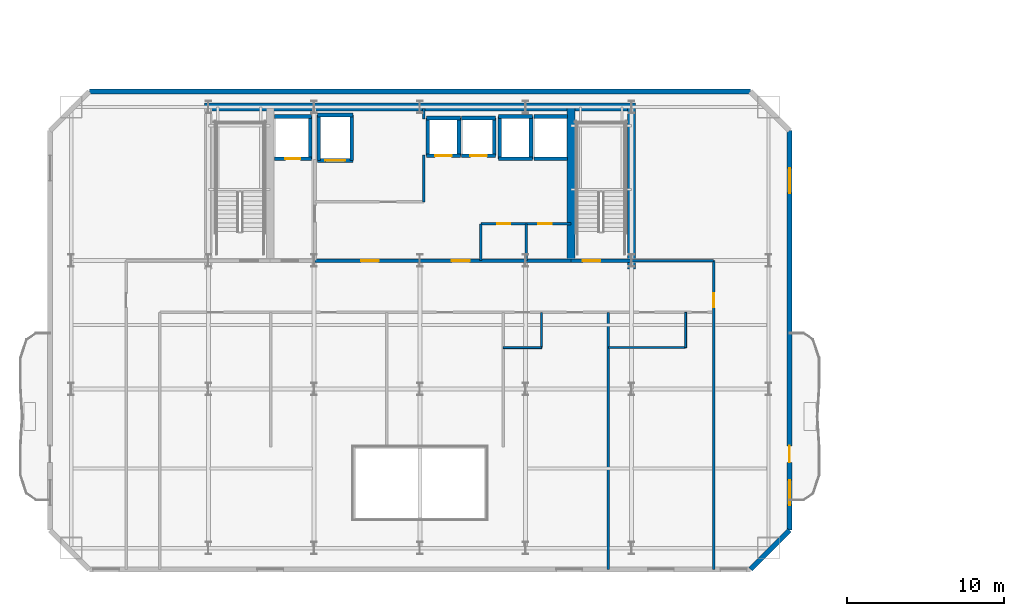
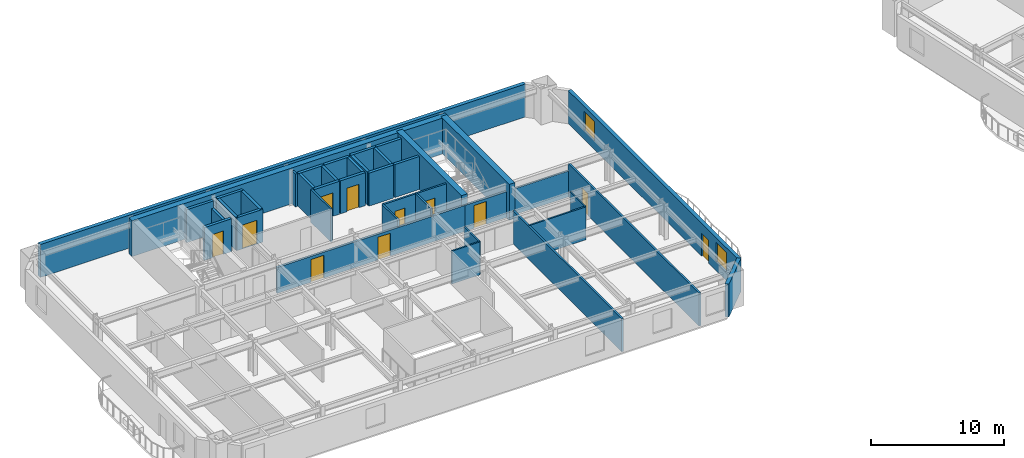
# One storey, part 6 of 13: 40 walls, 11 doors, 2 windows, 13 openings.
"""IFC4 building model written with IfcOpenShell, lengths in metres."""

from ifc_helpers import new_model, si_unit, direction, frame, frame_2d, origin, place, context, subcontext, project, spatial, rectangle, extrude, material, layer, layer_set, type_object, element, fill, save


model = new_model("IFC4")

# Units and contexts
model_context = context("Model", 3, precision=1e-05, world=origin(), true_north=direction((0.0, 1.0)))
body_context = subcontext(model_context, "Body", "Model", "MODEL_VIEW")
ifc_project = project(units=[si_unit("LENGTHUNIT", "METRE"), si_unit("AREAUNIT", "SQUARE_METRE"), si_unit("VOLUMEUNIT", "CUBIC_METRE"), si_unit("PLANEANGLEUNIT", "RADIAN"), si_unit("MASSUNIT", "GRAM", prefix="KILO")], contexts=[model_context])

# Site, building, storey
site_placement = place(None, origin())
site = spatial("IfcSite", under=ifc_project, at=site_placement, CompositionType="ELEMENT")
building_placement = place(site_placement, origin())
building = spatial("IfcBuilding", under=site, at=building_placement, Name="Haevon Station Towers", CompositionType="ELEMENT")
storey_placement = place(building_placement, frame((0.0, 0.0, 99.89990234375)))
storey = spatial("IfcBuildingStorey", under=building, at=storey_placement, Name="L26", CompositionType="ELEMENT", Elevation=99.89990234375)

# Wall, opening, door
ifc_material_1 = material(Name="Gypsum board on steel stud", Category="steel")
ifc_layer_1 = layer(ifc_material_1, 0.199951171875)
ifc_layer_set_1 = layer_set([ifc_layer_1], Name="Gypsum board on steel stud")
wall_type_1 = type_object("IfcWallType", Name="WL-COR200", PredefinedType="PARTITIONING", material=ifc_layer_set_1)
wall_1_placement = place(storey_placement, frame((47.14990234375, 38.199951171875, 0.0), z_axis=(0.0, 0.0, 1.0), x_axis=(1.0, 0.0, 0.0)))
wall_1 = element("IfcWall", 1, at=wall_1_placement, inside=storey, type_object=wall_type_1, Name="WL-ST-ST2-L26", PredefinedType="PARTITIONING", context=body_context, shape_type="SweptSolid", body=[
    extrude(rectangle(XDim=3.85009765625, YDim=0.199951171875, at=frame_2d((1.925048828125, 0.0))), origin(), (0.0, 0.0, 1.0), 2.380126953125),
])
opening_1_placement = place(wall_1_placement, frame((0.75, 0.0, 0.0)))
opening_1 = element("IfcOpeningElement", 2, at=opening_1_placement, cuts=wall_1, Name="Opening DR-ST-ST2-L26", PredefinedType="OPENING", context=body_context, shape_type="SweptSolid", body=[
    extrude(rectangle(XDim=1.1201171875, YDim=2.10009765625, at=frame_2d((0.56005859375, 1.050048828125))), frame((0.0, 0.10986328125, 0.0), z_axis=(0.0, -1.0, 0.0), x_axis=(1.0, 0.0, 0.0)), (0.0, 0.0, 1.0), 0.219970703125),
])
ifc_material_2 = material(Name="Engineered oak timber", Category="wood")
door_type_1 = type_object("IfcDoorType", Name="DR-ST-1120", OperationType="NOTDEFINED", PredefinedType="DOOR", material=ifc_material_2)
door_1_placement = place(opening_1_placement, origin())
door_1 = element("IfcDoor", 3, at=door_1_placement, inside=storey, type_object=door_type_1, Name="L26 Escape Stair ST2 Fire Door", OperationType="SINGLE_SWING_RIGHT", OverallHeight=2.10009765625, OverallWidth=1.1201171875, PredefinedType="DOOR", context=body_context, shape_type="SweptSolid", body=[
    extrude(rectangle(XDim=1.1201171875, YDim=2.10009765625, at=frame_2d((0.56005859375, 1.050048828125))), frame((0.0, 0.02490234375, 0.0), z_axis=(0.0, -1.0, 0.0), x_axis=(1.0, 0.0, 0.0)), (0.0, 0.0, 1.0), 0.050048828125),
])
fill(opening_1, door_1)

# Wall, openings, doors
wall_2_placement = place(storey_placement, frame((30.800048828125, 38.199951171875, 0.0), z_axis=(0.0, 0.0, 1.0), x_axis=(1.0, 0.0, 0.0)))
wall_2 = element("IfcWall", 4, at=wall_2_placement, inside=storey, type_object=wall_type_1, Name="WL-T1CLB-L26", PredefinedType="PARTITIONING", context=body_context, shape_type="SweptSolid", body=[
    extrude(rectangle(XDim=16.349853515625, YDim=0.199951171875, at=frame_2d((8.1748046875, 0.0))), origin(), (0.0, 0.0, 1.0), 2.380126953125),
])
opening_2_placement = place(wall_2_placement, frame((2.949951171875, 0.0, 0.0)))
opening_2 = element("IfcOpeningElement", 5, at=opening_2_placement, cuts=wall_2, Name="Opening DR-T1CLB-L26-1", PredefinedType="OPENING", context=body_context, shape_type="SweptSolid", body=[
    extrude(rectangle(XDim=1.1201171875, YDim=2.10009765625, at=frame_2d((0.56005859375, 1.050048828125))), frame((0.0, 0.10986328125, 0.0), z_axis=(0.0, -1.0, 0.0), x_axis=(1.0, 0.0, 0.0)), (0.0, 0.0, 1.0), 0.219970703125),
])
opening_3_placement = place(wall_2_placement, frame((8.75, 0.0, 0.0)))
opening_3 = element("IfcOpeningElement", 6, at=opening_3_placement, cuts=wall_2, Name="Opening DR-T1CLB-L26-2", PredefinedType="OPENING", context=body_context, shape_type="SweptSolid", body=[
    extrude(rectangle(XDim=1.1201171875, YDim=2.10009765625, at=frame_2d((0.56005859375, 1.050048828125))), frame((0.0, 0.10986328125, 0.0), z_axis=(0.0, -1.0, 0.0), x_axis=(1.0, 0.0, 0.0)), (0.0, 0.0, 1.0), 0.219970703125),
])
door_2_placement = place(opening_2_placement, origin())
door_2 = element("IfcDoor", 7, at=door_2_placement, inside=storey, type_object=door_type_1, Name="L26 Tower 1 Core Lift Lobby Door 1", OperationType="SINGLE_SWING_LEFT", OverallHeight=2.10009765625, OverallWidth=1.1201171875, PredefinedType="DOOR", context=body_context, shape_type="SweptSolid", body=[
    extrude(rectangle(XDim=1.1201171875, YDim=2.10009765625, at=frame_2d((0.56005859375, 1.050048828125))), frame((0.0, 0.02490234375, 0.0), z_axis=(0.0, -1.0, 0.0), x_axis=(1.0, 0.0, 0.0)), (0.0, 0.0, 1.0), 0.050048828125),
])
fill(opening_2, door_2)
door_3_placement = place(opening_3_placement, origin())
door_3 = element("IfcDoor", 8, at=door_3_placement, inside=storey, type_object=door_type_1, Name="L26 Tower 1 Core Lift Lobby Door 2", OperationType="SINGLE_SWING_RIGHT", OverallHeight=2.10009765625, OverallWidth=1.1201171875, PredefinedType="DOOR", context=body_context, shape_type="SweptSolid", body=[
    extrude(rectangle(XDim=1.1201171875, YDim=2.10009765625, at=frame_2d((0.56005859375, 1.050048828125))), frame((0.0, 0.02490234375, 0.0), z_axis=(0.0, -1.0, 0.0), x_axis=(1.0, 0.0, 0.0)), (0.0, 0.0, 1.0), 0.050048828125),
])
fill(opening_3, door_3)

# Walls
ifc_material_3 = material(Name="Concrete C60/75", Category="concrete")
ifc_layer_2 = layer(ifc_material_3, 0.5)
ifc_layer_set_2 = layer_set([ifc_layer_2], Name="Concrete C60/75")
wall_type_2 = type_object("IfcWallType", Name="WL-CR500", PredefinedType="SHEAR", material=ifc_layer_set_2)
wall_3_placement = place(storey_placement, frame((23.75, 48.0, 0.0), z_axis=(0.0, 0.0, 1.0), x_axis=(1.0, 0.0, 0.0)))
element("IfcWall", 9, at=wall_3_placement, inside=storey, type_object=wall_type_2, Name="WL-T1CR-L26-N", PredefinedType="SHEAR", context=body_context, shape_type="SweptSolid", body=[
    extrude(rectangle(XDim=27.5, YDim=0.5, at=frame_2d((13.75, 0.0))), origin(), (0.0, 0.0, 1.0), 3.300048828125),
])
wall_4_placement = place(storey_placement, frame((51.0, 37.679931640625, 0.0), z_axis=(0.0, 0.0, 1.0), x_axis=(0.0, 1.0, 0.0)))
element("IfcWall", 10, at=wall_4_placement, inside=storey, type_object=wall_type_2, Name="WL-T1CR-L26-E", PredefinedType="SHEAR", context=body_context, shape_type="SweptSolid", body=[
    extrude(rectangle(XDim=10.320068359375, YDim=0.5, at=frame_2d((5.16015625, 0.0))), origin(), (0.0, 0.0, 1.0), 3.300048828125),
])
wall_5_placement = place(storey_placement, frame((47.14990234375, 38.199951171875, 0.0), z_axis=(0.0, 0.0, 1.0), x_axis=(0.0, 1.0, 0.0)))
element("IfcWall", 11, at=wall_5_placement, inside=storey, type_object=wall_type_2, Name="WL-T1CR-L26-M2", PredefinedType="SHEAR", context=body_context, shape_type="SweptSolid", body=[
    extrude(rectangle(XDim=9.800048828125, YDim=0.5, at=frame_2d((4.89990234375, 0.0))), origin(), (0.0, 0.0, 1.0), 3.300048828125),
])
ifc_material_4 = material(Name="Precast concrete C45/55", Category="concrete")
ifc_layer_3 = layer(ifc_material_4, 0.320068359375)
ifc_layer_set_3 = layer_set([ifc_layer_3], Name="Precast concrete C45/55")
wall_type_3 = type_object("IfcWallType", Name="WL-EXT-PIER320", PredefinedType="SOLIDWALL", material=ifc_layer_set_3)
wall_6_placement = place(storey_placement, frame((16.39990234375, 49.0, 0.0), z_axis=(0.0, 0.0, 1.0), x_axis=(1.0, 0.0, 0.0)))
element("IfcWall", 12, at=wall_6_placement, inside=storey, type_object=wall_type_3, Name="WL-T1-L26-N", PredefinedType="SOLIDWALL", context=body_context, shape_type="SweptSolid", body=[
    extrude(rectangle(XDim=42.2001953125, YDim=0.320068359375, at=frame_2d((21.10009765625, 0.0))), origin(), (0.0, 0.0, 1.0), 3.030029296875),
])

# Wall, openings, door, windows
wall_7_placement = place(storey_placement, frame((61.10009765625, 46.5, 0.0), z_axis=(0.0, 0.0, 1.0), x_axis=(0.0, -1.0, 0.0)))
wall_7 = element("IfcWall", 13, at=wall_7_placement, inside=storey, type_object=wall_type_3, Name="WL-T1-L26-E", PredefinedType="SOLIDWALL", context=body_context, shape_type="SweptSolid", body=[
    extrude(rectangle(XDim=25.5, YDim=0.320068359375, at=frame_2d((12.75, 0.0))), origin(), (0.0, 0.0, 1.0), 3.030029296875),
])
opening_4_placement = place(wall_7_placement, frame((20.125, 0.0, 0.0)))
opening_4 = element("IfcOpeningElement", 14, at=opening_4_placement, cuts=wall_7, Name="Opening DR-T1-SCAL-L26-E", PredefinedType="OPENING", context=body_context, shape_type="SweptSolid", body=[
    extrude(rectangle(XDim=1.050048828125, YDim=2.10009765625, at=frame_2d((0.52490234375, 1.050048828125))), frame((0.0, 0.169921875, 0.0), z_axis=(0.0, -1.0, 0.0), x_axis=(1.0, 0.0, 0.0)), (0.0, 0.0, 1.0), 0.340087890625),
])
opening_5_placement = place(wall_7_placement, frame((2.392822265625, 0.0, 0.800048828125)))
opening_5 = element("IfcOpeningElement", 15, at=opening_5_placement, cuts=wall_7, Name="Opening WN-END160", PredefinedType="OPENING", context=body_context, shape_type="SweptSolid", body=[
    extrude(rectangle(XDim=1.60009765625, YDim=1.800048828125, at=frame_2d((0.800048828125, 0.89990234375))), frame((0.0, 0.169921875, 0.0), z_axis=(0.0, -1.0, 0.0), x_axis=(1.0, 0.0, 0.0)), (0.0, 0.0, 1.0), 0.340087890625),
])
opening_6_placement = place(wall_7_placement, frame((22.3037109375, 0.0, 0.800048828125)))
opening_6 = element("IfcOpeningElement", 16, at=opening_6_placement, cuts=wall_7, Name="Opening WN-END160", PredefinedType="OPENING", context=body_context, shape_type="SweptSolid", body=[
    extrude(rectangle(XDim=1.60009765625, YDim=1.800048828125, at=frame_2d((0.800048828125, 0.89990234375))), frame((0.0, 0.169921875, 0.0), z_axis=(0.0, -1.0, 0.0), x_axis=(1.0, 0.0, 0.0)), (0.0, 0.0, 1.0), 0.340087890625),
])
ifc_material_5 = material(Name="Thermally broken anodised aluminium and laminated safety glass", Category="aluminium")
door_type_2 = type_object("IfcDoorType", Name="DR-BALC-1050", OperationType="NOTDEFINED", PredefinedType="DOOR", material=ifc_material_5)
door_4_placement = place(opening_4_placement, origin())
door_4 = element("IfcDoor", 17, at=door_4_placement, inside=storey, type_object=door_type_2, Name="Tower 1 L26 East Scalloped Balcony Door", OperationType="SINGLE_SWING_RIGHT", OverallHeight=2.10009765625, OverallWidth=1.050048828125, PredefinedType="DOOR", context=body_context, shape_type="SweptSolid", body=[
    extrude(rectangle(XDim=1.050048828125, YDim=2.10009765625, at=frame_2d((0.52490234375, 1.050048828125))), frame((0.0, 0.02490234375, 0.0), z_axis=(0.0, -1.0, 0.0), x_axis=(1.0, 0.0, 0.0)), (0.0, 0.0, 1.0), 0.050048828125),
])
fill(opening_4, door_4)
ifc_material_6 = material(Name="Low-E triple glazing in thermally broken aluminium", Category="aluminium")
window_type = type_object("IfcWindowType", Name="WN-END160", PartitioningType="SINGLE_PANEL", PredefinedType="WINDOW", material=ifc_material_6)
window_1_placement = place(opening_5_placement, origin())
window_1 = element("IfcWindow", 18, at=window_1_placement, inside=storey, type_object=window_type, Name="WN-T1-L26-E01", OverallHeight=1.800048828125, OverallWidth=1.60009765625, PartitioningType="SINGLE_PANEL", PredefinedType="WINDOW", context=body_context, shape_type="SweptSolid", body=[
    extrude(rectangle(XDim=1.60009765625, YDim=1.800048828125, at=frame_2d((0.800048828125, 0.89990234375))), frame((0.0, 0.030029296875, 0.0), z_axis=(0.0, -1.0, 0.0), x_axis=(1.0, 0.0, 0.0)), (0.0, 0.0, 1.0), 0.06005859375),
])
fill(opening_5, window_1)
window_2_placement = place(opening_6_placement, origin())
window_2 = element("IfcWindow", 19, at=window_2_placement, inside=storey, type_object=window_type, Name="WN-T1-L26-E02", OverallHeight=1.800048828125, OverallWidth=1.60009765625, PartitioningType="SINGLE_PANEL", PredefinedType="WINDOW", context=body_context, shape_type="SweptSolid", body=[
    extrude(rectangle(XDim=1.60009765625, YDim=1.800048828125, at=frame_2d((0.800048828125, 0.89990234375))), frame((0.0, 0.030029296875, 0.0), z_axis=(0.0, -1.0, 0.0), x_axis=(1.0, 0.0, 0.0)), (0.0, 0.0, 1.0), 0.06005859375),
])
fill(opening_6, window_2)

# Walls
wall_8_placement = place(storey_placement, frame((61.10009765625, 21.0, 0.0), z_axis=(0.0, 0.0, 1.0), x_axis=(-0.707106781187, -0.707106781187, 0.0)))
element("IfcWall", 20, at=wall_8_placement, inside=storey, type_object=wall_type_3, Name="WL-T1-L26-SEC", PredefinedType="SOLIDWALL", context=body_context, shape_type="SweptSolid", body=[
    extrude(rectangle(XDim=3.53564453125, YDim=0.320068359375, at=frame_2d((1.767822265625, 0.0))), origin(), (0.0, 0.0, 1.0), 3.030029296875),
])
ifc_layer_4 = layer(ifc_material_1, 0.125)
ifc_layer_set_4 = layer_set([ifc_layer_4], Name="Gypsum board on steel stud")
wall_type_4 = type_object("IfcWallType", Name="WL-PRT125", PredefinedType="PARTITIONING", material=ifc_layer_set_4)
wall_9_placement = place(storey_placement, frame((42.81689453125, 32.64990234375, 0.0), z_axis=(0.0, 0.0, 1.0), x_axis=(1.0, 0.0, 0.0)))
element("IfcWall", 21, at=wall_9_placement, inside=storey, type_object=wall_type_4, Name="WL-T1PT-L26-15", PredefinedType="PARTITIONING", context=body_context, shape_type="SweptSolid", body=[
    extrude(rectangle(XDim=2.4501953125, YDim=0.125, at=frame_2d((1.22509765625, 0.0))), origin(), (0.0, 0.0, 1.0), 3.030029296875),
])
wall_10_placement = place(storey_placement, frame((54.469970703125, 32.64990234375, 0.0), z_axis=(0.0, 0.0, 1.0), x_axis=(0.0, 1.0, 0.0)))
element("IfcWall", 22, at=wall_10_placement, inside=storey, type_object=wall_type_4, Name="WL-T1PT-L26-19", PredefinedType="PARTITIONING", context=body_context, shape_type="SweptSolid", body=[
    extrude(rectangle(XDim=2.25, YDim=0.125, at=frame_2d((1.125, 0.0))), origin(), (0.0, 0.0, 1.0), 3.030029296875),
])
ifc_layer_5 = layer(ifc_material_1, 0.139892578125)
ifc_layer_set_5 = layer_set([ifc_layer_5], Name="Gypsum board on steel stud")
wall_type_5 = type_object("IfcWallType", Name="WL-PRT140", PredefinedType="PARTITIONING", material=ifc_layer_set_5)
wall_11_placement = place(storey_placement, frame((45.26708984375, 32.64990234375, 0.0), z_axis=(0.0, 0.0, 1.0), x_axis=(0.0, 1.0, 0.0)))
element("IfcWall", 23, at=wall_11_placement, inside=storey, type_object=wall_type_5, Name="WL-T1PT-L26-16", PredefinedType="PARTITIONING", context=body_context, shape_type="SweptSolid", body=[
    extrude(rectangle(XDim=2.25, YDim=0.139892578125, at=frame_2d((1.125, 0.0))), origin(), (0.0, 0.0, 1.0), 3.030029296875),
])
wall_12_placement = place(storey_placement, frame((49.533447265625, 32.64990234375, 0.0), z_axis=(0.0, 0.0, 1.0), x_axis=(1.0, 0.0, 0.0)))
element("IfcWall", 24, at=wall_12_placement, inside=storey, type_object=wall_type_5, Name="WL-T1PT-L26-18", PredefinedType="PARTITIONING", context=body_context, shape_type="SweptSolid", body=[
    extrude(rectangle(XDim=4.9365234375, YDim=0.139892578125, at=frame_2d((2.46826171875, 0.0))), origin(), (0.0, 0.0, 1.0), 3.030029296875),
])
ifc_layer_6 = layer(ifc_material_1, 0.159912109375)
ifc_layer_set_6 = layer_set([ifc_layer_6], Name="Gypsum board on steel stud")
wall_type_6 = type_object("IfcWallType", Name="WL-PRT160", PredefinedType="PARTITIONING", material=ifc_layer_set_6)
wall_13_placement = place(storey_placement, frame((37.75, 41.949951171875, 0.0), z_axis=(0.0, 0.0, 1.0), x_axis=(0.0, 1.0, 0.0)))
element("IfcWall", 25, at=wall_13_placement, inside=storey, type_object=wall_type_6, Name="WL-T1CW-L26-02", PredefinedType="PARTITIONING", context=body_context, shape_type="SweptSolid", body=[
    extrude(rectangle(XDim=3.0, YDim=0.159912109375, at=frame_2d((1.5, 0.0))), origin(), (0.0, 0.0, 1.0), 3.030029296875),
])
wall_14_placement = place(storey_placement, frame((37.75, 47.25, 0.0), z_axis=(0.0, 0.0, 1.0), x_axis=(0.0, 1.0, 0.0)))
element("IfcWall", 26, at=wall_14_placement, inside=storey, type_object=wall_type_6, Name="WL-T1CW-L26-03", PredefinedType="PARTITIONING", context=body_context, shape_type="SweptSolid", body=[
    extrude(rectangle(XDim=0.64990234375, YDim=0.159912109375, at=frame_2d((0.324951171875, 0.0))), origin(), (0.0, 0.0, 1.0), 3.030029296875),
])
for number, where, z_axis, x_axis, name in (
    (27, (41.39990234375, 38.199951171875, 0.0), (0.0, 0.0, 1.0), (0.0, 1.0, 0.0), "WL-T1CW-L26-04"),
    (28, (44.280029296875, 38.199951171875, 0.0), (0.0, 0.0, 1.0), (0.0, 1.0, 0.0), "WL-T1CW-L26-05"),
):
    element("IfcWall", number, at=place(storey_placement, frame(where, z_axis=z_axis, x_axis=x_axis)), inside=storey, type_object=wall_type_6, Name=name, PredefinedType="PARTITIONING", context=body_context, shape_type="SweptSolid", body=[
        extrude(rectangle(XDim=2.35009765625, YDim=0.159912109375, at=frame_2d((1.175048828125, 0.0))), origin(), (0.0, 0.0, 1.0), 3.030029296875),
    ])

# Wall, openings, doors
wall_15_placement = place(storey_placement, frame((41.39990234375, 40.550048828125, 0.0), z_axis=(0.0, 0.0, 1.0), x_axis=(1.0, 0.0, 0.0)))
wall_15 = element("IfcWall", 29, at=wall_15_placement, inside=storey, type_object=wall_type_6, Name="WL-T1CW-L26-06", PredefinedType="PARTITIONING", context=body_context, shape_type="SweptSolid", body=[
    extrude(rectangle(XDim=5.75, YDim=0.159912109375, at=frame_2d((2.875, 0.0))), origin(), (0.0, 0.0, 1.0), 3.030029296875),
])
opening_7_placement = place(wall_15_placement, frame((1.034912109375, 0.0, 0.0)))
opening_7 = element("IfcOpeningElement", 30, at=opening_7_placement, cuts=wall_15, Name="Opening DR-WL-T1CW-L26-06-1", PredefinedType="OPENING", context=body_context, shape_type="SweptSolid", body=[
    extrude(rectangle(XDim=0.85009765625, YDim=2.050048828125, at=frame_2d((0.425048828125, 1.02490234375))), frame((0.0, 0.08984375, 0.0), z_axis=(0.0, -1.0, 0.0), x_axis=(1.0, 0.0, 0.0)), (0.0, 0.0, 1.0), 0.179931640625),
])
opening_8_placement = place(wall_15_placement, frame((3.655029296875, 0.0, 0.0)))
opening_8 = element("IfcOpeningElement", 31, at=opening_8_placement, cuts=wall_15, Name="Opening DR-WL-T1CW-L26-06-2", PredefinedType="OPENING", context=body_context, shape_type="SweptSolid", body=[
    extrude(rectangle(XDim=0.85009765625, YDim=2.050048828125, at=frame_2d((0.425048828125, 1.02490234375))), frame((0.0, 0.08984375, 0.0), z_axis=(0.0, -1.0, 0.0), x_axis=(1.0, 0.0, 0.0)), (0.0, 0.0, 1.0), 0.179931640625),
])
door_type_3 = type_object("IfcDoorType", Name="DR-FD30-850", OperationType="NOTDEFINED", PredefinedType="DOOR", material=ifc_material_2)
door_5_placement = place(opening_7_placement, origin())
door_5 = element("IfcDoor", 32, at=door_5_placement, inside=storey, type_object=door_type_3, Name="L26 Tower 1 Core Room Door 6-1", OperationType="SINGLE_SWING_LEFT", OverallHeight=2.050048828125, OverallWidth=0.85009765625, PredefinedType="DOOR", context=body_context, shape_type="SweptSolid", body=[
    extrude(rectangle(XDim=0.85009765625, YDim=2.050048828125, at=frame_2d((0.425048828125, 1.02490234375))), frame((0.0, 0.02490234375, 0.0), z_axis=(0.0, -1.0, 0.0), x_axis=(1.0, 0.0, 0.0)), (0.0, 0.0, 1.0), 0.050048828125),
])
fill(opening_7, door_5)
door_6_placement = place(opening_8_placement, origin())
door_6 = element("IfcDoor", 33, at=door_6_placement, inside=storey, type_object=door_type_3, Name="L26 Tower 1 Core Room Door 6-2", OperationType="SINGLE_SWING_RIGHT", OverallHeight=2.050048828125, OverallWidth=0.85009765625, PredefinedType="DOOR", context=body_context, shape_type="SweptSolid", body=[
    extrude(rectangle(XDim=0.85009765625, YDim=2.050048828125, at=frame_2d((0.425048828125, 1.02490234375))), frame((0.0, 0.02490234375, 0.0), z_axis=(0.0, -1.0, 0.0), x_axis=(1.0, 0.0, 0.0)), (0.0, 0.0, 1.0), 0.050048828125),
])
fill(opening_8, door_6)

# Wall
wall_16_placement = place(storey_placement, frame((51.0, 38.199951171875, 0.0), z_axis=(0.0, 0.0, 1.0), x_axis=(1.0, 0.0, 0.0)))
element("IfcWall", 34, at=wall_16_placement, inside=storey, type_object=wall_type_6, Name="WL-T1PT-L26-03", PredefinedType="PARTITIONING", context=body_context, shape_type="SweptSolid", body=[
    extrude(rectangle(XDim=5.25, YDim=0.159912109375, at=frame_2d((2.625, 0.0))), origin(), (0.0, 0.0, 1.0), 2.380126953125),
])

# Wall, opening, door
wall_17_placement = place(storey_placement, frame((56.25, 18.5, 0.0), z_axis=(0.0, 0.0, 1.0), x_axis=(0.0, 1.0, 0.0)))
wall_17 = element("IfcWall", 35, at=wall_17_placement, inside=storey, type_object=wall_type_6, Name="WL-T1PT-L26-05", PredefinedType="PARTITIONING", context=body_context, shape_type="SweptSolid", body=[
    extrude(rectangle(XDim=19.699951171875, YDim=0.159912109375, at=frame_2d((9.85009765625, 0.0))), origin(), (0.0, 0.0, 1.0), 3.030029296875),
])
opening_9_placement = place(wall_17_placement, frame((16.719970703125, 0.0, 0.0)))
opening_9 = element("IfcOpeningElement", 36, at=opening_9_placement, cuts=wall_17, Name="Opening DR-WL-T1PT-L26-05-01", PredefinedType="OPENING", context=body_context, shape_type="SweptSolid", body=[
    extrude(rectangle(XDim=0.89990234375, YDim=2.050048828125, at=frame_2d((0.449951171875, 1.02490234375))), frame((0.0, 0.08984375, 0.0), z_axis=(0.0, -1.0, 0.0), x_axis=(1.0, 0.0, 0.0)), (0.0, 0.0, 1.0), 0.179931640625),
])
door_type_4 = type_object("IfcDoorType", Name="DR-INT-900", OperationType="NOTDEFINED", PredefinedType="DOOR", material=ifc_material_2)
door_7_placement = place(opening_9_placement, origin())
door_7 = element("IfcDoor", 37, at=door_7_placement, inside=storey, type_object=door_type_4, Name="L26 Tower 1 Room Door 5-1", OperationType="SINGLE_SWING_RIGHT", OverallHeight=2.050048828125, OverallWidth=0.89990234375, PredefinedType="DOOR", context=body_context, shape_type="SweptSolid", body=[
    extrude(rectangle(XDim=0.89990234375, YDim=2.050048828125, at=frame_2d((0.449951171875, 1.02490234375))), frame((0.0, 0.02490234375, 0.0), z_axis=(0.0, -1.0, 0.0), x_axis=(1.0, 0.0, 0.0)), (0.0, 0.0, 1.0), 0.050048828125),
])
fill(opening_9, door_7)

# Wall
wall_18_placement = place(storey_placement, frame((49.533447265625, 18.5, 0.0), z_axis=(0.0, 0.0, 1.0), x_axis=(0.0, 1.0, 0.0)))
element("IfcWall", 38, at=wall_18_placement, inside=storey, type_object=wall_type_6, Name="WL-T1PT-L26-17", PredefinedType="PARTITIONING", context=body_context, shape_type="SweptSolid", body=[
    extrude(rectangle(XDim=16.39990234375, YDim=0.159912109375, at=frame_2d((8.199951171875, 0.0))), origin(), (0.0, 0.0, 1.0), 3.030029296875),
])

# Wall, opening, door
ifc_material_7 = material(Name="Concrete C40/50", Category="concrete")
ifc_layer_7 = layer(ifc_material_7, 0.239990234375)
ifc_layer_set_7 = layer_set([ifc_layer_7], Name="Concrete C40/50")
wall_type_7 = type_object("IfcWallType", Name="WL-SHF240", PredefinedType="PARTITIONING", material=ifc_layer_set_7)
wall_19_placement = place(storey_placement, frame((28.219970703125, 44.699951171875, 0.0), z_axis=(0.0, 0.0, 1.0), x_axis=(1.0, 0.0, 0.0)))
wall_19 = element("IfcWall", 39, at=wall_19_placement, inside=storey, type_object=wall_type_7, Name="WL-SHF-FL1-L26", PredefinedType="PARTITIONING", context=body_context, shape_type="SweptSolid", body=[
    extrude(rectangle(XDim=2.360107421875, YDim=0.239990234375, at=frame_2d((1.18017578125, 0.0))), origin(), (0.0, 0.0, 1.0), 3.030029296875),
])
opening_10_placement = place(wall_19_placement, frame((0.705078125, 0.0, 0.0)))
opening_10 = element("IfcOpeningElement", 40, at=opening_10_placement, cuts=wall_19, Name="Opening LD-FL1-L26", PredefinedType="OPENING", context=body_context, shape_type="SweptSolid", body=[
    extrude(rectangle(XDim=0.949951171875, YDim=2.14990234375, at=frame_2d((0.47509765625, 1.074951171875))), frame((0.0, 0.1298828125, 0.0), z_axis=(0.0, -1.0, 0.0), x_axis=(1.0, 0.0, 0.0)), (0.0, 0.0, 1.0), 0.260009765625),
])
ifc_material_8 = material(Name="Stainless steel and rated core", Category="steel")
door_type_5 = type_object("IfcDoorType", Name="LD-FL950", OperationType="SLIDING_TO_LEFT", PredefinedType="DOOR", material=ifc_material_8)
door_8_placement = place(opening_10_placement, origin())
door_8 = element("IfcDoor", 41, at=door_8_placement, inside=storey, type_object=door_type_5, Name="L26 Lift FL1 Sliding Landing Door", OperationType="SLIDING_TO_LEFT", OverallHeight=2.14990234375, OverallWidth=0.949951171875, PredefinedType="DOOR", context=body_context, shape_type="SweptSolid", body=[
    extrude(rectangle(XDim=0.949951171875, YDim=2.14990234375, at=frame_2d((0.47509765625, 1.074951171875))), frame((0.0, 0.02490234375, 0.0), z_axis=(0.0, -1.0, 0.0), x_axis=(1.0, 0.0, 0.0)), (0.0, 0.0, 1.0), 0.050048828125),
])
fill(opening_10, door_8)

# Walls
wall_20_placement = place(storey_placement, frame((28.219970703125, 47.39990234375, 0.0), z_axis=(0.0, 0.0, 1.0), x_axis=(1.0, 0.0, 0.0)))
element("IfcWall", 42, at=wall_20_placement, inside=storey, type_object=wall_type_7, Name="WL-SHF-FL1-L26-N", PredefinedType="PARTITIONING", context=body_context, shape_type="SweptSolid", body=[
    extrude(rectangle(XDim=2.360107421875, YDim=0.239990234375, at=frame_2d((1.18017578125, 0.0))), origin(), (0.0, 0.0, 1.0), 3.030029296875),
])
wall_21_placement = place(storey_placement, frame((30.5, 44.699951171875, 0.0), z_axis=(0.0, 0.0, 1.0), x_axis=(0.0, 1.0, 0.0)))
element("IfcWall", 43, at=wall_21_placement, inside=storey, type_object=wall_type_7, Name="WL-SHF-FL1-L26-E", PredefinedType="PARTITIONING", context=body_context, shape_type="SweptSolid", body=[
    extrude(rectangle(XDim=2.699951171875, YDim=0.239990234375, at=frame_2d((1.35009765625, 0.0))), origin(), (0.0, 0.0, 1.0), 2.380126953125),
])

# Wall, opening, door
wall_22_placement = place(storey_placement, frame((30.969970703125, 44.60009765625, 0.0), z_axis=(0.0, 0.0, 1.0), x_axis=(1.0, 0.0, 0.0)))
wall_22 = element("IfcWall", 44, at=wall_22_placement, inside=storey, type_object=wall_type_7, Name="WL-SHF-SL1-L26", PredefinedType="PARTITIONING", context=body_context, shape_type="SweptSolid", body=[
    extrude(rectangle(XDim=2.260009765625, YDim=0.239990234375, at=frame_2d((1.1298828125, 0.0))), origin(), (0.0, 0.0, 1.0), 3.030029296875),
])
opening_11_placement = place(wall_22_placement, frame((0.5048828125, 0.0, 0.0)))
opening_11 = element("IfcOpeningElement", 45, at=opening_11_placement, cuts=wall_22, Name="Opening LD-SL1-L26", PredefinedType="OPENING", context=body_context, shape_type="SweptSolid", body=[
    extrude(rectangle(XDim=1.25, YDim=2.199951171875, at=frame_2d((0.625, 1.10009765625))), frame((0.0, 0.1298828125, 0.0), z_axis=(0.0, -1.0, 0.0), x_axis=(1.0, 0.0, 0.0)), (0.0, 0.0, 1.0), 0.260009765625),
])
door_type_6 = type_object("IfcDoorType", Name="LD-SL1250", OperationType="SLIDING_TO_LEFT", PredefinedType="DOOR", material=ifc_material_8)
door_9_placement = place(opening_11_placement, origin())
door_9 = element("IfcDoor", 46, at=door_9_placement, inside=storey, type_object=door_type_6, Name="L26 Lift SL1 Sliding Landing Door", OperationType="SLIDING_TO_LEFT", OverallHeight=2.199951171875, OverallWidth=1.25, PredefinedType="DOOR", context=body_context, shape_type="SweptSolid", body=[
    extrude(rectangle(XDim=1.25, YDim=2.199951171875, at=frame_2d((0.625, 1.10009765625))), frame((0.0, 0.02490234375, 0.0), z_axis=(0.0, -1.0, 0.0), x_axis=(1.0, 0.0, 0.0)), (0.0, 0.0, 1.0), 0.050048828125),
])
fill(opening_11, door_9)

# Walls
wall_23_placement = place(storey_placement, frame((30.969970703125, 47.5, 0.0), z_axis=(0.0, 0.0, 1.0), x_axis=(1.0, 0.0, 0.0)))
element("IfcWall", 47, at=wall_23_placement, inside=storey, type_object=wall_type_7, Name="WL-SHF-SL1-L26-N", PredefinedType="PARTITIONING", context=body_context, shape_type="SweptSolid", body=[
    extrude(rectangle(XDim=2.260009765625, YDim=0.239990234375, at=frame_2d((1.1298828125, 0.0))), origin(), (0.0, 0.0, 1.0), 3.030029296875),
])
for number, where, z_axis, x_axis, name in (
    (48, (31.050048828125, 44.60009765625, 0.0), (0.0, 0.0, 1.0), (0.0, 1.0, 0.0), "WL-SHF-SL1-L26-W"),
    (49, (33.14990234375, 44.60009765625, 0.0), (0.0, 0.0, 1.0), (0.0, 1.0, 0.0), "WL-SHF-SL1-L26-E"),
):
    element("IfcWall", number, at=place(storey_placement, frame(where, z_axis=z_axis, x_axis=x_axis)), inside=storey, type_object=wall_type_7, Name=name, PredefinedType="PARTITIONING", context=body_context, shape_type="SweptSolid", body=[
        extrude(rectangle(XDim=2.89990234375, YDim=0.239990234375, at=frame_2d((1.449951171875, 0.0))), origin(), (0.0, 0.0, 1.0), 3.030029296875),
    ])

# Wall, opening, door
wall_24_placement = place(storey_placement, frame((37.919921875, 44.89990234375, 0.0), z_axis=(0.0, 0.0, 1.0), x_axis=(1.0, 0.0, 0.0)))
wall_24 = element("IfcWall", 50, at=wall_24_placement, inside=storey, type_object=wall_type_7, Name="WL-SHF-PL3-L26", PredefinedType="PARTITIONING", context=body_context, shape_type="SweptSolid", body=[
    extrude(rectangle(XDim=2.16015625, YDim=0.239990234375, at=frame_2d((1.080078125, 0.0))), origin(), (0.0, 0.0, 1.0), 3.030029296875),
])
opening_12_placement = place(wall_24_placement, frame((0.554931640625, 0.0, 0.0)))
opening_12 = element("IfcOpeningElement", 51, at=opening_12_placement, cuts=wall_24, Name="Opening LD-PL3-L26", PredefinedType="OPENING", context=body_context, shape_type="SweptSolid", body=[
    extrude(rectangle(XDim=1.050048828125, YDim=2.14990234375, at=frame_2d((0.52490234375, 1.074951171875))), frame((0.0, 0.1298828125, 0.0), z_axis=(0.0, -1.0, 0.0), x_axis=(1.0, 0.0, 0.0)), (0.0, 0.0, 1.0), 0.260009765625),
])
door_type_7 = type_object("IfcDoorType", Name="LD-PL1050", OperationType="SLIDING_TO_LEFT", PredefinedType="DOOR", material=ifc_material_8)
door_10_placement = place(opening_12_placement, origin())
door_10 = element("IfcDoor", 52, at=door_10_placement, inside=storey, type_object=door_type_7, Name="L26 Lift PL3 Sliding Landing Door", OperationType="SLIDING_TO_LEFT", OverallHeight=2.14990234375, OverallWidth=1.050048828125, PredefinedType="DOOR", context=body_context, shape_type="SweptSolid", body=[
    extrude(rectangle(XDim=1.050048828125, YDim=2.14990234375, at=frame_2d((0.52490234375, 1.074951171875))), frame((0.0, 0.02490234375, 0.0), z_axis=(0.0, -1.0, 0.0), x_axis=(1.0, 0.0, 0.0)), (0.0, 0.0, 1.0), 0.050048828125),
])
fill(opening_12, door_10)

# Walls
wall_25_placement = place(storey_placement, frame((37.919921875, 47.300048828125, 0.0), z_axis=(0.0, 0.0, 1.0), x_axis=(1.0, 0.0, 0.0)))
element("IfcWall", 53, at=wall_25_placement, inside=storey, type_object=wall_type_7, Name="WL-SHF-PL3-L26-N", PredefinedType="PARTITIONING", context=body_context, shape_type="SweptSolid", body=[
    extrude(rectangle(XDim=2.16015625, YDim=0.239990234375, at=frame_2d((1.080078125, 0.0))), origin(), (0.0, 0.0, 1.0), 3.030029296875),
])
for number, where, z_axis, x_axis, name in (
    (54, (38.0, 44.89990234375, 0.0), (0.0, 0.0, 1.0), (0.0, 1.0, 0.0), "WL-SHF-PL3-L26-W"),
    (55, (40.0, 44.89990234375, 0.0), (0.0, 0.0, 1.0), (0.0, 1.0, 0.0), "WL-SHF-PL3-L26-E"),
):
    element("IfcWall", number, at=place(storey_placement, frame(where, z_axis=z_axis, x_axis=x_axis)), inside=storey, type_object=wall_type_7, Name=name, PredefinedType="PARTITIONING", context=body_context, shape_type="SweptSolid", body=[
        extrude(rectangle(XDim=2.400146484375, YDim=0.239990234375, at=frame_2d((1.2001953125, 0.0))), origin(), (0.0, 0.0, 1.0), 3.030029296875),
    ])

# Wall, opening, door
wall_26_placement = place(storey_placement, frame((40.169921875, 44.89990234375, 0.0), z_axis=(0.0, 0.0, 1.0), x_axis=(1.0, 0.0, 0.0)))
wall_26 = element("IfcWall", 56, at=wall_26_placement, inside=storey, type_object=wall_type_7, Name="WL-SHF-PL4-L26", PredefinedType="PARTITIONING", context=body_context, shape_type="SweptSolid", body=[
    extrude(rectangle(XDim=2.16015625, YDim=0.239990234375, at=frame_2d((1.080078125, 0.0))), origin(), (0.0, 0.0, 1.0), 3.030029296875),
])
opening_13_placement = place(wall_26_placement, frame((0.554931640625, 0.0, 0.0)))
opening_13 = element("IfcOpeningElement", 57, at=opening_13_placement, cuts=wall_26, Name="Opening LD-PL4-L26", PredefinedType="OPENING", context=body_context, shape_type="SweptSolid", body=[
    extrude(rectangle(XDim=1.050048828125, YDim=2.14990234375, at=frame_2d((0.52490234375, 1.074951171875))), frame((0.0, 0.1298828125, 0.0), z_axis=(0.0, -1.0, 0.0), x_axis=(1.0, 0.0, 0.0)), (0.0, 0.0, 1.0), 0.260009765625),
])
door_11_placement = place(opening_13_placement, origin())
door_11 = element("IfcDoor", 58, at=door_11_placement, inside=storey, type_object=door_type_7, Name="L26 Lift PL4 Sliding Landing Door", OperationType="SLIDING_TO_LEFT", OverallHeight=2.14990234375, OverallWidth=1.050048828125, PredefinedType="DOOR", context=body_context, shape_type="SweptSolid", body=[
    extrude(rectangle(XDim=1.050048828125, YDim=2.14990234375, at=frame_2d((0.52490234375, 1.074951171875))), frame((0.0, 0.02490234375, 0.0), z_axis=(0.0, -1.0, 0.0), x_axis=(1.0, 0.0, 0.0)), (0.0, 0.0, 1.0), 0.050048828125),
])
fill(opening_13, door_11)

# Walls
wall_27_placement = place(storey_placement, frame((40.169921875, 47.300048828125, 0.0), z_axis=(0.0, 0.0, 1.0), x_axis=(1.0, 0.0, 0.0)))
element("IfcWall", 59, at=wall_27_placement, inside=storey, type_object=wall_type_7, Name="WL-SHF-PL4-L26-N", PredefinedType="PARTITIONING", context=body_context, shape_type="SweptSolid", body=[
    extrude(rectangle(XDim=2.16015625, YDim=0.239990234375, at=frame_2d((1.080078125, 0.0))), origin(), (0.0, 0.0, 1.0), 3.030029296875),
])
wall_28_placement = place(storey_placement, frame((42.25, 44.89990234375, 0.0), z_axis=(0.0, 0.0, 1.0), x_axis=(0.0, 1.0, 0.0)))
element("IfcWall", 60, at=wall_28_placement, inside=storey, type_object=wall_type_7, Name="WL-SHF-PL4-L26-E", PredefinedType="PARTITIONING", context=body_context, shape_type="SweptSolid", body=[
    extrude(rectangle(XDim=2.400146484375, YDim=0.239990234375, at=frame_2d((1.2001953125, 0.0))), origin(), (0.0, 0.0, 1.0), 3.030029296875),
])
for number, where, z_axis, x_axis, name in (
    (61, (42.52001953125, 44.699951171875, 0.0), (0.0, 0.0, 1.0), (1.0, 0.0, 0.0), "WL-SHF-PL5-L26"),
    (62, (42.52001953125, 47.39990234375, 0.0), (0.0, 0.0, 1.0), (1.0, 0.0, 0.0), "WL-SHF-PL5-L26-N"),
):
    element("IfcWall", number, at=place(storey_placement, frame(where, z_axis=z_axis, x_axis=x_axis)), inside=storey, type_object=wall_type_7, Name=name, PredefinedType="PARTITIONING", context=body_context, shape_type="SweptSolid", body=[
        extrude(rectangle(XDim=2.159912109375, YDim=0.239990234375, at=frame_2d((1.080078125, 0.0))), origin(), (0.0, 0.0, 1.0), 3.030029296875),
    ])
for number, where, z_axis, x_axis, name in (
    (63, (42.60009765625, 44.699951171875, 0.0), (0.0, 0.0, 1.0), (0.0, 1.0, 0.0), "WL-SHF-PL5-L26-W"),
    (64, (44.60009765625, 44.699951171875, 0.0), (0.0, 0.0, 1.0), (0.0, 1.0, 0.0), "WL-SHF-PL5-L26-E"),
):
    element("IfcWall", number, at=place(storey_placement, frame(where, z_axis=z_axis, x_axis=x_axis)), inside=storey, type_object=wall_type_7, Name=name, PredefinedType="PARTITIONING", context=body_context, shape_type="SweptSolid", body=[
        extrude(rectangle(XDim=2.699951171875, YDim=0.239990234375, at=frame_2d((1.35009765625, 0.0))), origin(), (0.0, 0.0, 1.0), 3.030029296875),
    ])
for number, where, z_axis, x_axis, name in (
    (65, (44.77001953125, 44.699951171875, 0.0), (0.0, 0.0, 1.0), (1.0, 0.0, 0.0), "WL-SHF-PL6-L26"),
    (66, (44.77001953125, 47.39990234375, 0.0), (0.0, 0.0, 1.0), (1.0, 0.0, 0.0), "WL-SHF-PL6-L26-N"),
):
    element("IfcWall", number, at=place(storey_placement, frame(where, z_axis=z_axis, x_axis=x_axis)), inside=storey, type_object=wall_type_7, Name=name, PredefinedType="PARTITIONING", context=body_context, shape_type="SweptSolid", body=[
        extrude(rectangle(XDim=2.159912109375, YDim=0.239990234375, at=frame_2d((1.080078125, 0.0))), origin(), (0.0, 0.0, 1.0), 3.030029296875),
    ])

save(model, "model.ifc")
